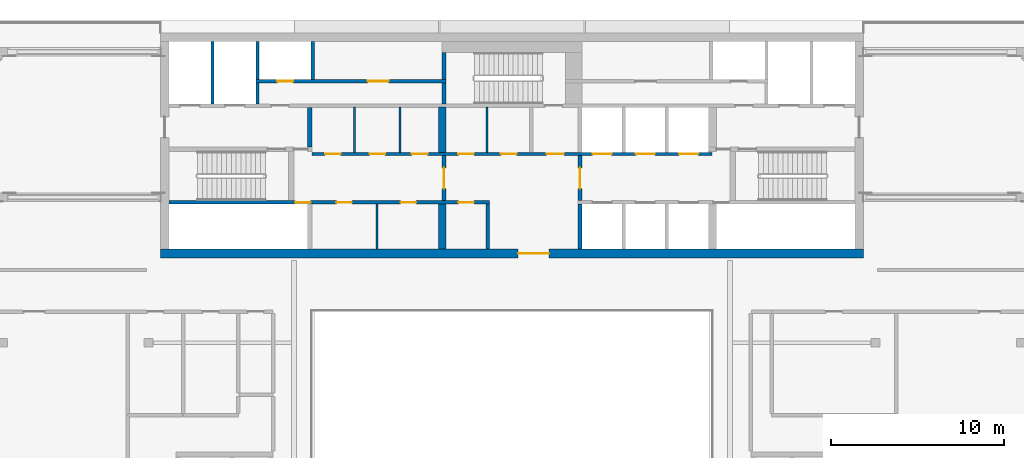
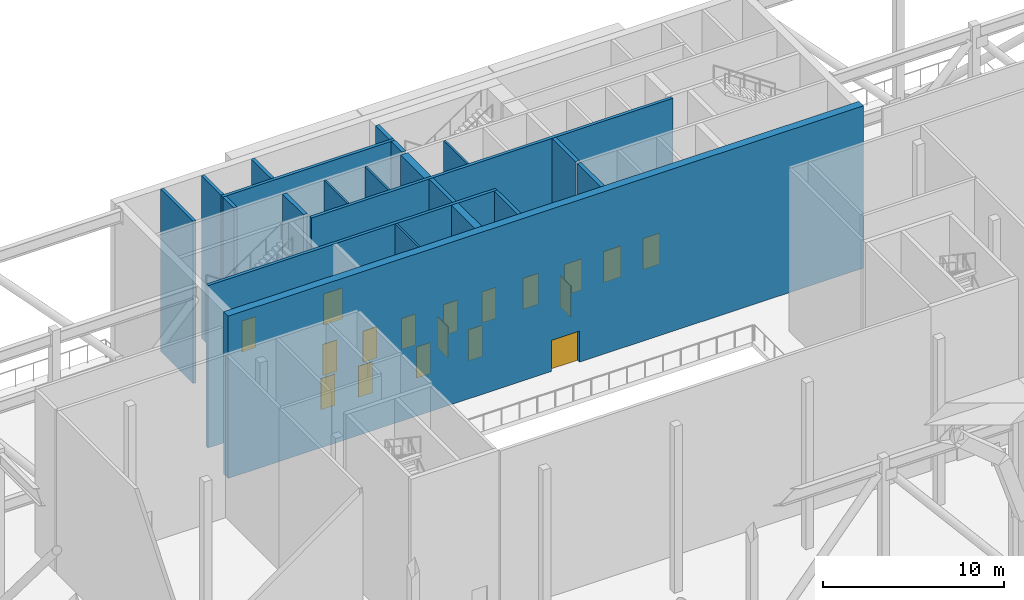
# One storey, part 5 of 20: 21 walls, 18 doors, 18 openings.
"""IFC4 building model written with IfcOpenShell, lengths in metres."""

from ifc_helpers import new_model, si_unit, direction, frame, frame_2d, origin, place, context, subcontext, project, spatial, rectangle, extrude, material, layer, layer_set, type_object, element, fill, save


model = new_model("IFC4")

# Units and contexts
model_context = context("Model", 3, precision=1e-05, world=origin(), true_north=direction((0.0, 1.0)))
body_context = subcontext(model_context, "Body", "Model", "MODEL_VIEW")
ifc_project = project(units=[si_unit("LENGTHUNIT", "METRE"), si_unit("AREAUNIT", "SQUARE_METRE"), si_unit("VOLUMEUNIT", "CUBIC_METRE"), si_unit("PLANEANGLEUNIT", "RADIAN"), si_unit("MASSUNIT", "GRAM", prefix="KILO")], contexts=[model_context])

# Site, building, storey
site_placement = place(None, origin())
site = spatial("IfcSite", under=ifc_project, at=site_placement, CompositionType="ELEMENT")
building_placement = place(site_placement, origin())
building = spatial("IfcBuilding", under=site, at=building_placement, Name="Saffron Gate Tower", CompositionType="ELEMENT")
storey_placement = place(building_placement, frame((0.0, 0.0, 252.300048828125)))
storey = spatial("IfcBuildingStorey", under=building, at=storey_placement, Name="L62", CompositionType="ELEMENT", Elevation=252.300048828125)

# Wall
ifc_material_1 = material(Name="Gypsum board partition on steel studs", Category="steel")
ifc_layer_1 = layer(ifc_material_1, 0.199951171875)
ifc_layer_set_1 = layer_set([ifc_layer_1], Name="CW10 Core partition 200")
wall_type_1 = type_object("IfcWallType", Name="CW10 Core partition 200", PredefinedType="PARTITIONING", material=ifc_layer_set_1)
wall_1_placement = place(storey_placement, frame((86.199951171875, 62.39990234375, 0.0), z_axis=(0.0, 0.0, 1.0), x_axis=(0.0, 1.0, 0.0)))
element("IfcWall", 1, at=wall_1_placement, inside=storey, type_object=wall_type_1, Name="Wall CW10-L62-8", PredefinedType="PARTITIONING", context=body_context, shape_type="SweptSolid", body=[
    extrude(rectangle(XDim=2.60009765625, YDim=0.199951171875, at=frame_2d((1.300048828125, 0.0))), origin(), (0.0, 0.0, 1.0), 10.969970703125),
])

# Wall, opening, door
ifc_material_2 = material(Name="Concrete C50", Category="concrete")
ifc_layer_2 = layer(ifc_material_2, 0.5)
ifc_layer_set_2 = layer_set([ifc_layer_2], Name="CW22 RC core wall 500 C50")
wall_type_2 = type_object("IfcWallType", Name="CW22 RC core wall 500 C50", PredefinedType="SOLIDWALL", material=ifc_layer_set_2)
wall_2_placement = place(storey_placement, frame((67.300048828125, 62.14990234375, 0.0), z_axis=(0.0, 0.0, 1.0), x_axis=(1.0, 0.0, 0.0)))
wall_2 = element("IfcWall", 2, at=wall_2_placement, inside=storey, type_object=wall_type_2, Name="Wall CW22-L62-1", PredefinedType="SOLIDWALL", context=body_context, shape_type="SweptSolid", body=[
    extrude(rectangle(XDim=40.599853515625, YDim=0.5, at=frame_2d((20.2998046875, 0.0))), origin(), (0.0, 0.0, 1.0), 10.969970703125),
])
opening_1_placement = place(wall_2_placement, frame((20.64990234375, 0.0, 0.0)))
opening_1 = element("IfcOpeningElement", 3, at=opening_1_placement, cuts=wall_2, Name="Opening CR-09", PredefinedType="OPENING", context=body_context, shape_type="SweptSolid", body=[
    extrude(rectangle(XDim=1.800048828125, YDim=2.10009765625, at=frame_2d((0.89990234375, 1.050048828125))), frame((0.0, 0.260009765625, 0.0), z_axis=(0.0, -1.0, 0.0), x_axis=(1.0, 0.0, 0.0)), (0.0, 0.0, 1.0), 0.52001953125),
])
ifc_material_3 = material(Name="Steel fire door set", Category="steel")
door_type_1 = type_object("IfcDoorType", Name="CD1 Core entrance door 1800x2100 EI 120", OperationType="NOTDEFINED", PredefinedType="DOOR", material=ifc_material_3)
door_1_placement = place(opening_1_placement, origin())
door_1 = element("IfcDoor", 4, at=door_1_placement, inside=storey, type_object=door_type_1, Name="DOOR CR-09", OperationType="DOUBLE_DOOR_SINGLE_SWING", OverallHeight=2.10009765625, OverallWidth=1.800048828125, PredefinedType="DOOR", context=body_context, shape_type="SweptSolid", body=[
    extrude(rectangle(XDim=1.800048828125, YDim=2.10009765625, at=frame_2d((0.89990234375, 1.050048828125))), frame((0.0, 0.02490234375, 0.0), z_axis=(0.0, -1.0, 0.0), x_axis=(1.0, 0.0, 0.0)), (0.0, 0.0, 1.0), 0.050048828125),
])
fill(opening_1, door_1)

# Wall
ifc_layer_3 = layer(ifc_material_2, 0.25)
ifc_layer_set_3 = layer_set([ifc_layer_3], Name="CW23 RC core wall 250 C50")
wall_type_3 = type_object("IfcWallType", Name="CW23 RC core wall 250 C50", PredefinedType="SOLIDWALL", material=ifc_layer_set_3)
wall_3_placement = place(storey_placement, frame((91.52490234375, 62.39990234375, 0.0), z_axis=(0.0, 0.0, 1.0), x_axis=(0.0, 1.0, 0.0)))
element("IfcWall", 5, at=wall_3_placement, inside=storey, type_object=wall_type_3, Name="Wall CW23-L62-9", PredefinedType="SOLIDWALL", context=body_context, shape_type="SweptSolid", body=[
    extrude(rectangle(XDim=2.60009765625, YDim=0.25, at=frame_2d((1.300048828125, 0.0))), origin(), (0.0, 0.0, 1.0), 10.969970703125),
])

# Wall, opening, door
wall_4_placement = place(storey_placement, frame((83.675048828125, 65.199951171875, 0.0), z_axis=(0.0, 0.0, 1.0), x_axis=(0.0, 1.0, 0.0)))
wall_4 = element("IfcWall", 6, at=wall_4_placement, inside=storey, type_object=wall_type_3, Name="Wall CW23-L62-16", PredefinedType="SOLIDWALL", context=body_context, shape_type="SweptSolid", body=[
    extrude(rectangle(XDim=2.60009765625, YDim=0.25, at=frame_2d((1.300048828125, 0.0))), origin(), (0.0, 0.0, 1.0), 10.969970703125),
])
opening_2_placement = place(wall_4_placement, frame((0.699951171875, 0.0, 0.0)))
opening_2 = element("IfcOpeningElement", 7, at=opening_2_placement, cuts=wall_4, Name="Opening CR-07", PredefinedType="OPENING", context=body_context, shape_type="SweptSolid", body=[
    extrude(rectangle(XDim=1.199951171875, YDim=2.10009765625, at=frame_2d((0.60009765625, 1.050048828125))), frame((0.0, 0.135009765625, 0.0), z_axis=(0.0, -1.0, 0.0), x_axis=(1.0, 0.0, 0.0)), (0.0, 0.0, 1.0), 0.27001953125),
])
door_type_2 = type_object("IfcDoorType", Name="CD3 Lobby door 1200x2100 EI 120", OperationType="NOTDEFINED", PredefinedType="DOOR", material=ifc_material_3)
door_2_placement = place(opening_2_placement, origin())
door_2 = element("IfcDoor", 8, at=door_2_placement, inside=storey, type_object=door_type_2, Name="DOOR CR-07", OperationType="SINGLE_SWING_RIGHT", OverallHeight=2.10009765625, OverallWidth=1.199951171875, PredefinedType="DOOR", context=body_context, shape_type="SweptSolid", body=[
    extrude(rectangle(XDim=1.199951171875, YDim=2.10009765625, at=frame_2d((0.60009765625, 1.050048828125))), frame((0.0, 0.02490234375, 0.0), z_axis=(0.0, -1.0, 0.0), x_axis=(1.0, 0.0, 0.0)), (0.0, 0.0, 1.0), 0.050048828125),
])
fill(opening_2, door_2)

wall_5_placement = place(storey_placement, frame((91.52490234375, 65.199951171875, 0.0), z_axis=(0.0, 0.0, 1.0), x_axis=(0.0, 1.0, 0.0)))
wall_5 = element("IfcWall", 9, at=wall_5_placement, inside=storey, type_object=wall_type_3, Name="Wall CW23-L62-17", PredefinedType="SOLIDWALL", context=body_context, shape_type="SweptSolid", body=[
    extrude(rectangle(XDim=2.60009765625, YDim=0.25, at=frame_2d((1.300048828125, 0.0))), origin(), (0.0, 0.0, 1.0), 10.969970703125),
])
opening_3_placement = place(wall_5_placement, frame((0.699951171875, 0.0, 0.0)))
opening_3 = element("IfcOpeningElement", 10, at=opening_3_placement, cuts=wall_5, Name="Opening CR-01", PredefinedType="OPENING", context=body_context, shape_type="SweptSolid", body=[
    extrude(rectangle(XDim=1.199951171875, YDim=2.10009765625, at=frame_2d((0.60009765625, 1.050048828125))), frame((0.0, 0.135009765625, 0.0), z_axis=(0.0, -1.0, 0.0), x_axis=(1.0, 0.0, 0.0)), (0.0, 0.0, 1.0), 0.27001953125),
])
door_3_placement = place(opening_3_placement, origin())
door_3 = element("IfcDoor", 11, at=door_3_placement, inside=storey, type_object=door_type_2, Name="DOOR CR-01", OperationType="SINGLE_SWING_RIGHT", OverallHeight=2.10009765625, OverallWidth=1.199951171875, PredefinedType="DOOR", context=body_context, shape_type="SweptSolid", body=[
    extrude(rectangle(XDim=1.199951171875, YDim=2.10009765625, at=frame_2d((0.60009765625, 1.050048828125))), frame((0.0, 0.02490234375, 0.0), z_axis=(0.0, -1.0, 0.0), x_axis=(1.0, 0.0, 0.0)), (0.0, 0.0, 1.0), 0.050048828125),
])
fill(opening_3, door_3)

# Walls
wall_6_placement = place(storey_placement, frame((75.925048828125, 68.300048828125, 0.0), z_axis=(0.0, 0.0, 1.0), x_axis=(0.0, 1.0, 0.0)))
element("IfcWall", 12, at=wall_6_placement, inside=storey, type_object=wall_type_3, Name="Wall CW23-L62-31", PredefinedType="SOLIDWALL", context=body_context, shape_type="SweptSolid", body=[
    extrude(rectangle(XDim=2.300048828125, YDim=0.25, at=frame_2d((1.14990234375, 0.0))), origin(), (0.0, 0.0, 1.0), 10.969970703125),
])
wall_7_placement = place(storey_placement, frame((83.675048828125, 70.800048828125, 0.0), z_axis=(0.0, 0.0, 1.0), x_axis=(0.0, 1.0, 0.0)))
element("IfcWall", 13, at=wall_7_placement, inside=storey, type_object=wall_type_3, Name="Wall CW23-L62-36", PredefinedType="SOLIDWALL", context=body_context, shape_type="SweptSolid", body=[
    extrude(rectangle(XDim=1.199951171875, YDim=0.25, at=frame_2d((0.60009765625, 0.0))), origin(), (0.0, 0.0, 1.0), 10.969970703125),
])
wall_8_placement = place(storey_placement, frame((83.675048828125, 72.199951171875, 0.0), z_axis=(0.0, 0.0, 1.0), x_axis=(0.0, 1.0, 0.0)))
element("IfcWall", 14, at=wall_8_placement, inside=storey, type_object=wall_type_3, Name="Wall CW23-L62-44", PredefinedType="SOLIDWALL", context=body_context, shape_type="SweptSolid", body=[
    extrude(rectangle(XDim=1.550048828125, YDim=0.25, at=frame_2d((0.77490234375, 0.0))), origin(), (0.0, 0.0, 1.0), 10.969970703125),
])
ifc_layer_4 = layer(ifc_material_2, 0.449951171875)
ifc_layer_set_4 = layer_set([ifc_layer_4], Name="CW24 RC core wall 450 C50")
wall_type_4 = type_object("IfcWallType", Name="CW24 RC core wall 450 C50", PredefinedType="SOLIDWALL", material=ifc_layer_set_4)
for number, where, z_axis, x_axis, name in (
    (15, (83.574951171875, 62.39990234375, 0.0), (0.0, 0.0, 1.0), (0.0, 1.0, 0.0), "Wall CW24-L62-7"),
    (16, (83.574951171875, 68.0, 0.0), (0.0, 0.0, 1.0), (0.0, 1.0, 0.0), "Wall CW24-L62-22"),
):
    element("IfcWall", number, at=place(storey_placement, frame(where, z_axis=z_axis, x_axis=x_axis)), inside=storey, type_object=wall_type_4, Name=name, PredefinedType="SOLIDWALL", context=body_context, shape_type="SweptSolid", body=[
        extrude(rectangle(XDim=2.60009765625, YDim=0.449951171875, at=frame_2d((1.300048828125, 0.0))), origin(), (0.0, 0.0, 1.0), 10.969970703125),
    ])

# Wall, openings, doors
ifc_layer_5 = layer(ifc_material_2, 0.199951171875)
ifc_layer_set_5 = layer_set([ifc_layer_5], Name="CW25 RC core wall 200 C50")
wall_type_5 = type_object("IfcWallType", Name="CW25 RC core wall 200 C50", PredefinedType="SOLIDWALL", material=ifc_layer_set_5)
wall_9_placement = place(storey_placement, frame((67.800048828125, 65.10009765625, 0.0), z_axis=(0.0, 0.0, 1.0), x_axis=(1.0, 0.0, 0.0)))
wall_9 = element("IfcWall", 17, at=wall_9_placement, inside=storey, type_object=wall_type_5, Name="Wall CW25-L62-13", PredefinedType="SOLIDWALL", context=body_context, shape_type="SweptSolid", body=[
    extrude(rectangle(XDim=18.5, YDim=0.199951171875, at=frame_2d((9.25, 0.0))), origin(), (0.0, 0.0, 1.0), 10.969970703125),
])
opening_4_placement = place(wall_9_placement, frame((7.27001953125, 0.0, 0.0)))
opening_4 = element("IfcOpeningElement", 18, at=opening_4_placement, cuts=wall_9, Name="Opening CR-49", PredefinedType="OPENING", context=body_context, shape_type="SweptSolid", body=[
    extrude(rectangle(XDim=0.89990234375, YDim=2.10009765625, at=frame_2d((0.449951171875, 1.050048828125))), frame((0.0, 0.10986328125, 0.0), z_axis=(0.0, -1.0, 0.0), x_axis=(1.0, 0.0, 0.0)), (0.0, 0.0, 1.0), 0.219970703125),
])
opening_5_placement = place(wall_9_placement, frame((9.64990234375, 0.0, 0.0)))
opening_5 = element("IfcOpeningElement", 19, at=opening_5_placement, cuts=wall_9, Name="Opening CR-64", PredefinedType="OPENING", context=body_context, shape_type="SweptSolid", body=[
    extrude(rectangle(XDim=0.89990234375, YDim=2.10009765625, at=frame_2d((0.449951171875, 1.050048828125))), frame((0.0, 0.10986328125, 0.0), z_axis=(0.0, -1.0, 0.0), x_axis=(1.0, 0.0, 0.0)), (0.0, 0.0, 1.0), 0.219970703125),
])
opening_6_placement = place(wall_9_placement, frame((13.360107421875, 0.0, 0.0)))
opening_6 = element("IfcOpeningElement", 20, at=opening_6_placement, cuts=wall_9, Name="Opening CR-65", PredefinedType="OPENING", context=body_context, shape_type="SweptSolid", body=[
    extrude(rectangle(XDim=0.89990234375, YDim=2.10009765625, at=frame_2d((0.449951171875, 1.050048828125))), frame((0.0, 0.10986328125, 0.0), z_axis=(0.0, -1.0, 0.0), x_axis=(1.0, 0.0, 0.0)), (0.0, 0.0, 1.0), 0.219970703125),
])
opening_7_placement = place(wall_9_placement, frame((16.699951171875, 0.0, 0.0)))
opening_7 = element("IfcOpeningElement", 21, at=opening_7_placement, cuts=wall_9, Name="Opening CR-69", PredefinedType="OPENING", context=body_context, shape_type="SweptSolid", body=[
    extrude(rectangle(XDim=0.89990234375, YDim=2.10009765625, at=frame_2d((0.449951171875, 1.050048828125))), frame((0.0, 0.10986328125, 0.0), z_axis=(0.0, -1.0, 0.0), x_axis=(1.0, 0.0, 0.0)), (0.0, 0.0, 1.0), 0.219970703125),
])
door_type_3 = type_object("IfcDoorType", Name="CD2 Riser door 900x2100 EI 60", OperationType="NOTDEFINED", PredefinedType="DOOR", material=ifc_material_3)
door_4_placement = place(opening_4_placement, origin())
door_4 = element("IfcDoor", 22, at=door_4_placement, inside=storey, type_object=door_type_3, Name="DOOR CR-49", OperationType="SINGLE_SWING_LEFT", OverallHeight=2.10009765625, OverallWidth=0.89990234375, PredefinedType="DOOR", context=body_context, shape_type="SweptSolid", body=[
    extrude(rectangle(XDim=0.89990234375, YDim=2.10009765625, at=frame_2d((0.449951171875, 1.050048828125))), frame((0.0, 0.02490234375, 0.0), z_axis=(0.0, -1.0, 0.0), x_axis=(1.0, 0.0, 0.0)), (0.0, 0.0, 1.0), 0.050048828125),
])
fill(opening_4, door_4)
door_type_4 = type_object("IfcDoorType", Name="CD9 Room door 900x2100 EI 60", OperationType="NOTDEFINED", PredefinedType="DOOR", material=ifc_material_3)
door_5_placement = place(opening_5_placement, origin())
door_5 = element("IfcDoor", 23, at=door_5_placement, inside=storey, type_object=door_type_4, Name="DOOR CR-64", OperationType="SINGLE_SWING_RIGHT", OverallHeight=2.10009765625, OverallWidth=0.89990234375, PredefinedType="DOOR", context=body_context, shape_type="SweptSolid", body=[
    extrude(rectangle(XDim=0.89990234375, YDim=2.10009765625, at=frame_2d((0.449951171875, 1.050048828125))), frame((0.0, 0.02490234375, 0.0), z_axis=(0.0, -1.0, 0.0), x_axis=(1.0, 0.0, 0.0)), (0.0, 0.0, 1.0), 0.050048828125),
])
fill(opening_5, door_5)
door_6_placement = place(opening_6_placement, origin())
door_6 = element("IfcDoor", 24, at=door_6_placement, inside=storey, type_object=door_type_4, Name="DOOR CR-65", OperationType="SINGLE_SWING_RIGHT", OverallHeight=2.10009765625, OverallWidth=0.89990234375, PredefinedType="DOOR", context=body_context, shape_type="SweptSolid", body=[
    extrude(rectangle(XDim=0.89990234375, YDim=2.10009765625, at=frame_2d((0.449951171875, 1.050048828125))), frame((0.0, 0.02490234375, 0.0), z_axis=(0.0, -1.0, 0.0), x_axis=(1.0, 0.0, 0.0)), (0.0, 0.0, 1.0), 0.050048828125),
])
fill(opening_6, door_6)
door_7_placement = place(opening_7_placement, origin())
door_7 = element("IfcDoor", 25, at=door_7_placement, inside=storey, type_object=door_type_4, Name="DOOR CR-69", OperationType="SINGLE_SWING_RIGHT", OverallHeight=2.10009765625, OverallWidth=0.89990234375, PredefinedType="DOOR", context=body_context, shape_type="SweptSolid", body=[
    extrude(rectangle(XDim=0.89990234375, YDim=2.10009765625, at=frame_2d((0.449951171875, 1.050048828125))), frame((0.0, 0.02490234375, 0.0), z_axis=(0.0, -1.0, 0.0), x_axis=(1.0, 0.0, 0.0)), (0.0, 0.0, 1.0), 0.050048828125),
])
fill(opening_7, door_7)

wall_10_placement = place(storey_placement, frame((76.050048828125, 67.89990234375, 0.0), z_axis=(0.0, 0.0, 1.0), x_axis=(1.0, 0.0, 0.0)))
wall_10 = element("IfcWall", 26, at=wall_10_placement, inside=storey, type_object=wall_type_5, Name="Wall CW25-L62-19", PredefinedType="SOLIDWALL", context=body_context, shape_type="SweptSolid", body=[
    extrude(rectangle(XDim=23.099853515625, YDim=0.199951171875, at=frame_2d((11.5498046875, 0.0))), origin(), (0.0, 0.0, 1.0), 10.969970703125),
])
opening_8_placement = place(wall_10_placement, frame((0.75, 0.0, 0.0)))
opening_8 = element("IfcOpeningElement", 27, at=opening_8_placement, cuts=wall_10, Name="Opening CR-61", PredefinedType="OPENING", context=body_context, shape_type="SweptSolid", body=[
    extrude(rectangle(XDim=0.89990234375, YDim=2.10009765625, at=frame_2d((0.449951171875, 1.050048828125))), frame((0.0, 0.10986328125, 0.0), z_axis=(0.0, -1.0, 0.0), x_axis=(1.0, 0.0, 0.0)), (0.0, 0.0, 1.0), 0.219970703125),
])
opening_9_placement = place(wall_10_placement, frame((3.320068359375, 0.0, 0.0)))
opening_9 = element("IfcOpeningElement", 28, at=opening_9_placement, cuts=wall_10, Name="Opening CR-62", PredefinedType="OPENING", context=body_context, shape_type="SweptSolid", body=[
    extrude(rectangle(XDim=0.89990234375, YDim=2.10009765625, at=frame_2d((0.449951171875, 1.050048828125))), frame((0.0, 0.10986328125, 0.0), z_axis=(0.0, -1.0, 0.0), x_axis=(1.0, 0.0, 0.0)), (0.0, 0.0, 1.0), 0.219970703125),
])
opening_10_placement = place(wall_10_placement, frame((5.77001953125, 0.0, 0.0)))
opening_10 = element("IfcOpeningElement", 29, at=opening_10_placement, cuts=wall_10, Name="Opening CR-63", PredefinedType="OPENING", context=body_context, shape_type="SweptSolid", body=[
    extrude(rectangle(XDim=0.89990234375, YDim=2.10009765625, at=frame_2d((0.449951171875, 1.050048828125))), frame((0.0, 0.10986328125, 0.0), z_axis=(0.0, -1.0, 0.0), x_axis=(1.0, 0.0, 0.0)), (0.0, 0.0, 1.0), 0.219970703125),
])
opening_11_placement = place(wall_10_placement, frame((8.449951171875, 0.0, 0.0)))
opening_11 = element("IfcOpeningElement", 30, at=opening_11_placement, cuts=wall_10, Name="Opening CR-67", PredefinedType="OPENING", context=body_context, shape_type="SweptSolid", body=[
    extrude(rectangle(XDim=0.89990234375, YDim=2.10009765625, at=frame_2d((0.449951171875, 1.050048828125))), frame((0.0, 0.10986328125, 0.0), z_axis=(0.0, -1.0, 0.0), x_axis=(1.0, 0.0, 0.0)), (0.0, 0.0, 1.0), 0.219970703125),
])
opening_12_placement = place(wall_10_placement, frame((10.909912109375, 0.0, 0.0)))
opening_12 = element("IfcOpeningElement", 31, at=opening_12_placement, cuts=wall_10, Name="Opening CR-68", PredefinedType="OPENING", context=body_context, shape_type="SweptSolid", body=[
    extrude(rectangle(XDim=0.89990234375, YDim=2.10009765625, at=frame_2d((0.449951171875, 1.050048828125))), frame((0.0, 0.10986328125, 0.0), z_axis=(0.0, -1.0, 0.0), x_axis=(1.0, 0.0, 0.0)), (0.0, 0.0, 1.0), 0.219970703125),
])
opening_13_placement = place(wall_10_placement, frame((13.550048828125, 0.0, 0.0)))
opening_13 = element("IfcOpeningElement", 32, at=opening_13_placement, cuts=wall_10, Name="Opening CR-02", PredefinedType="OPENING", context=body_context, shape_type="SweptSolid", body=[
    extrude(rectangle(XDim=1.0, YDim=2.10009765625, at=frame_2d((0.5, 1.050048828125))), frame((0.0, 0.10986328125, 0.0), z_axis=(0.0, -1.0, 0.0), x_axis=(1.0, 0.0, 0.0)), (0.0, 0.0, 1.0), 0.219970703125),
])
opening_14_placement = place(wall_10_placement, frame((16.199951171875, 0.0, 0.0)))
opening_14 = element("IfcOpeningElement", 33, at=opening_14_placement, cuts=wall_10, Name="Opening LD-HR4", PredefinedType="OPENING", context=body_context, shape_type="SweptSolid", body=[
    extrude(rectangle(XDim=1.10009765625, YDim=2.10009765625, at=frame_2d((0.550048828125, 1.050048828125))), frame((0.0, 0.10986328125, 0.0), z_axis=(0.0, -1.0, 0.0), x_axis=(1.0, 0.0, 0.0)), (0.0, 0.0, 1.0), 0.219970703125),
])
opening_15_placement = place(wall_10_placement, frame((18.699951171875, 0.0, 0.0)))
opening_15 = element("IfcOpeningElement", 34, at=opening_15_placement, cuts=wall_10, Name="Opening LD-HR5", PredefinedType="OPENING", context=body_context, shape_type="SweptSolid", body=[
    extrude(rectangle(XDim=1.10009765625, YDim=2.10009765625, at=frame_2d((0.550048828125, 1.050048828125))), frame((0.0, 0.10986328125, 0.0), z_axis=(0.0, -1.0, 0.0), x_axis=(1.0, 0.0, 0.0)), (0.0, 0.0, 1.0), 0.219970703125),
])
opening_16_placement = place(wall_10_placement, frame((21.199951171875, 0.0, 0.0)))
opening_16 = element("IfcOpeningElement", 35, at=opening_16_placement, cuts=wall_10, Name="Opening LD-HR6", PredefinedType="OPENING", context=body_context, shape_type="SweptSolid", body=[
    extrude(rectangle(XDim=1.10009765625, YDim=2.10009765625, at=frame_2d((0.550048828125, 1.050048828125))), frame((0.0, 0.10986328125, 0.0), z_axis=(0.0, -1.0, 0.0), x_axis=(1.0, 0.0, 0.0)), (0.0, 0.0, 1.0), 0.219970703125),
])
door_type_5 = type_object("IfcDoorType", Name="CD4 Lobby door 1000x2100 EI 120", OperationType="NOTDEFINED", PredefinedType="DOOR", material=ifc_material_3)
door_8_placement = place(opening_13_placement, origin())
door_8 = element("IfcDoor", 36, at=door_8_placement, inside=storey, type_object=door_type_5, Name="DOOR CR-02", OperationType="SINGLE_SWING_LEFT", OverallHeight=2.10009765625, OverallWidth=1.0, PredefinedType="DOOR", context=body_context, shape_type="SweptSolid", body=[
    extrude(rectangle(XDim=1.0, YDim=2.10009765625, at=frame_2d((0.5, 1.050048828125))), frame((0.0, 0.02490234375, 0.0), z_axis=(0.0, -1.0, 0.0), x_axis=(1.0, 0.0, 0.0)), (0.0, 0.0, 1.0), 0.050048828125),
])
fill(opening_13, door_8)
door_9_placement = place(opening_8_placement, origin())
door_9 = element("IfcDoor", 37, at=door_9_placement, inside=storey, type_object=door_type_4, Name="DOOR CR-61", OperationType="SINGLE_SWING_LEFT", OverallHeight=2.10009765625, OverallWidth=0.89990234375, PredefinedType="DOOR", context=body_context, shape_type="SweptSolid", body=[
    extrude(rectangle(XDim=0.89990234375, YDim=2.10009765625, at=frame_2d((0.449951171875, 1.050048828125))), frame((0.0, 0.02490234375, 0.0), z_axis=(0.0, -1.0, 0.0), x_axis=(1.0, 0.0, 0.0)), (0.0, 0.0, 1.0), 0.050048828125),
])
fill(opening_8, door_9)
door_10_placement = place(opening_9_placement, origin())
door_10 = element("IfcDoor", 38, at=door_10_placement, inside=storey, type_object=door_type_4, Name="DOOR CR-62", OperationType="SINGLE_SWING_LEFT", OverallHeight=2.10009765625, OverallWidth=0.89990234375, PredefinedType="DOOR", context=body_context, shape_type="SweptSolid", body=[
    extrude(rectangle(XDim=0.89990234375, YDim=2.10009765625, at=frame_2d((0.449951171875, 1.050048828125))), frame((0.0, 0.02490234375, 0.0), z_axis=(0.0, -1.0, 0.0), x_axis=(1.0, 0.0, 0.0)), (0.0, 0.0, 1.0), 0.050048828125),
])
fill(opening_9, door_10)
door_11_placement = place(opening_10_placement, origin())
door_11 = element("IfcDoor", 39, at=door_11_placement, inside=storey, type_object=door_type_4, Name="DOOR CR-63", OperationType="SINGLE_SWING_LEFT", OverallHeight=2.10009765625, OverallWidth=0.89990234375, PredefinedType="DOOR", context=body_context, shape_type="SweptSolid", body=[
    extrude(rectangle(XDim=0.89990234375, YDim=2.10009765625, at=frame_2d((0.449951171875, 1.050048828125))), frame((0.0, 0.02490234375, 0.0), z_axis=(0.0, -1.0, 0.0), x_axis=(1.0, 0.0, 0.0)), (0.0, 0.0, 1.0), 0.050048828125),
])
fill(opening_10, door_11)
door_12_placement = place(opening_11_placement, origin())
door_12 = element("IfcDoor", 40, at=door_12_placement, inside=storey, type_object=door_type_4, Name="DOOR CR-67", OperationType="SINGLE_SWING_LEFT", OverallHeight=2.10009765625, OverallWidth=0.89990234375, PredefinedType="DOOR", context=body_context, shape_type="SweptSolid", body=[
    extrude(rectangle(XDim=0.89990234375, YDim=2.10009765625, at=frame_2d((0.449951171875, 1.050048828125))), frame((0.0, 0.02490234375, 0.0), z_axis=(0.0, -1.0, 0.0), x_axis=(1.0, 0.0, 0.0)), (0.0, 0.0, 1.0), 0.050048828125),
])
fill(opening_11, door_12)
door_13_placement = place(opening_12_placement, origin())
door_13 = element("IfcDoor", 41, at=door_13_placement, inside=storey, type_object=door_type_4, Name="DOOR CR-68", OperationType="SINGLE_SWING_LEFT", OverallHeight=2.10009765625, OverallWidth=0.89990234375, PredefinedType="DOOR", context=body_context, shape_type="SweptSolid", body=[
    extrude(rectangle(XDim=0.89990234375, YDim=2.10009765625, at=frame_2d((0.449951171875, 1.050048828125))), frame((0.0, 0.02490234375, 0.0), z_axis=(0.0, -1.0, 0.0), x_axis=(1.0, 0.0, 0.0)), (0.0, 0.0, 1.0), 0.050048828125),
])
fill(opening_12, door_13)
ifc_material_4 = material(Name="Stainless steel landing door", Category="steel")
door_type_6 = type_object("IfcDoorType", Name="LD Lift landing door 1100x2100 EI 120", OperationType="SLIDING_TO_LEFT", PredefinedType="DOOR", material=ifc_material_4)
door_14_placement = place(opening_14_placement, origin())
door_14 = element("IfcDoor", 42, at=door_14_placement, inside=storey, type_object=door_type_6, Name="LANDING DOOR LD-HR4", OperationType="SLIDING_TO_RIGHT", OverallHeight=2.10009765625, OverallWidth=1.10009765625, PredefinedType="DOOR", context=body_context, shape_type="SweptSolid", body=[
    extrude(rectangle(XDim=1.10009765625, YDim=2.10009765625, at=frame_2d((0.550048828125, 1.050048828125))), frame((0.0, 0.02490234375, 0.0), z_axis=(0.0, -1.0, 0.0), x_axis=(1.0, 0.0, 0.0)), (0.0, 0.0, 1.0), 0.050048828125),
])
fill(opening_14, door_14)
door_15_placement = place(opening_15_placement, origin())
door_15 = element("IfcDoor", 43, at=door_15_placement, inside=storey, type_object=door_type_6, Name="LANDING DOOR LD-HR5", OperationType="SLIDING_TO_RIGHT", OverallHeight=2.10009765625, OverallWidth=1.10009765625, PredefinedType="DOOR", context=body_context, shape_type="SweptSolid", body=[
    extrude(rectangle(XDim=1.10009765625, YDim=2.10009765625, at=frame_2d((0.550048828125, 1.050048828125))), frame((0.0, 0.02490234375, 0.0), z_axis=(0.0, -1.0, 0.0), x_axis=(1.0, 0.0, 0.0)), (0.0, 0.0, 1.0), 0.050048828125),
])
fill(opening_15, door_15)
door_16_placement = place(opening_16_placement, origin())
door_16 = element("IfcDoor", 44, at=door_16_placement, inside=storey, type_object=door_type_6, Name="LANDING DOOR LD-HR6", OperationType="SLIDING_TO_RIGHT", OverallHeight=2.10009765625, OverallWidth=1.10009765625, PredefinedType="DOOR", context=body_context, shape_type="SweptSolid", body=[
    extrude(rectangle(XDim=1.10009765625, YDim=2.10009765625, at=frame_2d((0.550048828125, 1.050048828125))), frame((0.0, 0.02490234375, 0.0), z_axis=(0.0, -1.0, 0.0), x_axis=(1.0, 0.0, 0.0)), (0.0, 0.0, 1.0), 0.050048828125),
])
fill(opening_16, door_16)

# Walls
wall_11_placement = place(storey_placement, frame((70.300048828125, 70.800048828125, 0.0), z_axis=(0.0, 0.0, 1.0), x_axis=(0.0, 1.0, 0.0)))
element("IfcWall", 45, at=wall_11_placement, inside=storey, type_object=wall_type_5, Name="Wall CW25-L62-34", PredefinedType="SOLIDWALL", context=body_context, shape_type="SweptSolid", body=[
    extrude(rectangle(XDim=3.599853515625, YDim=0.199951171875, at=frame_2d((1.7998046875, 0.0))), origin(), (0.0, 0.0, 1.0), 10.969970703125),
])
wall_12_placement = place(storey_placement, frame((72.89990234375, 70.800048828125, 0.0), z_axis=(0.0, 0.0, 1.0), x_axis=(0.0, 1.0, 0.0)))
element("IfcWall", 46, at=wall_12_placement, inside=storey, type_object=wall_type_5, Name="Wall CW25-L62-35", PredefinedType="SOLIDWALL", context=body_context, shape_type="SweptSolid", body=[
    extrude(rectangle(XDim=1.199951171875, YDim=0.199951171875, at=frame_2d((0.60009765625, 0.0))), origin(), (0.0, 0.0, 1.0), 10.969970703125),
])

# Wall, openings, doors
wall_13_placement = place(storey_placement, frame((72.800048828125, 72.10009765625, 0.0), z_axis=(0.0, 0.0, 1.0), x_axis=(1.0, 0.0, 0.0)))
wall_13 = element("IfcWall", 47, at=wall_13_placement, inside=storey, type_object=wall_type_5, Name="Wall CW25-L62-40", PredefinedType="SOLIDWALL", context=body_context, shape_type="SweptSolid", body=[
    extrude(rectangle(XDim=11.0, YDim=0.199951171875, at=frame_2d((5.5, 0.0))), origin(), (0.0, 0.0, 1.0), 10.969970703125),
])
opening_17_placement = place(wall_13_placement, frame((1.25, 0.0, 0.0)))
opening_17 = element("IfcOpeningElement", 48, at=opening_17_placement, cuts=wall_13, Name="Opening CR-71", PredefinedType="OPENING", context=body_context, shape_type="SweptSolid", body=[
    extrude(rectangle(XDim=0.89990234375, YDim=2.10009765625, at=frame_2d((0.449951171875, 1.050048828125))), frame((0.0, 0.10986328125, 0.0), z_axis=(0.0, -1.0, 0.0), x_axis=(1.0, 0.0, 0.0)), (0.0, 0.0, 1.0), 0.219970703125),
])
opening_18_placement = place(wall_13_placement, frame((6.47509765625, 0.0, 0.0)))
opening_18 = element("IfcOpeningElement", 49, at=opening_18_placement, cuts=wall_13, Name="Opening CR-57", PredefinedType="OPENING", context=body_context, shape_type="SweptSolid", body=[
    extrude(rectangle(XDim=1.199951171875, YDim=2.10009765625, at=frame_2d((0.60009765625, 1.050048828125))), frame((0.0, 0.10986328125, 0.0), z_axis=(0.0, -1.0, 0.0), x_axis=(1.0, 0.0, 0.0)), (0.0, 0.0, 1.0), 0.219970703125),
])
door_type_7 = type_object("IfcDoorType", Name="CD10 Room door 1200x2100 EI 60", OperationType="NOTDEFINED", PredefinedType="DOOR", material=ifc_material_3)
door_17_placement = place(opening_18_placement, origin())
door_17 = element("IfcDoor", 50, at=door_17_placement, inside=storey, type_object=door_type_7, Name="DOOR CR-57", OperationType="SINGLE_SWING_LEFT", OverallHeight=2.10009765625, OverallWidth=1.199951171875, PredefinedType="DOOR", context=body_context, shape_type="SweptSolid", body=[
    extrude(rectangle(XDim=1.199951171875, YDim=2.10009765625, at=frame_2d((0.60009765625, 1.050048828125))), frame((0.0, 0.02490234375, 0.0), z_axis=(0.0, -1.0, 0.0), x_axis=(1.0, 0.0, 0.0)), (0.0, 0.0, 1.0), 0.050048828125),
])
fill(opening_18, door_17)
door_18_placement = place(opening_17_placement, origin())
door_18 = element("IfcDoor", 51, at=door_18_placement, inside=storey, type_object=door_type_3, Name="DOOR CR-71", OperationType="SINGLE_SWING_LEFT", OverallHeight=2.10009765625, OverallWidth=0.89990234375, PredefinedType="DOOR", context=body_context, shape_type="SweptSolid", body=[
    extrude(rectangle(XDim=0.89990234375, YDim=2.10009765625, at=frame_2d((0.449951171875, 1.050048828125))), frame((0.0, 0.02490234375, 0.0), z_axis=(0.0, -1.0, 0.0), x_axis=(1.0, 0.0, 0.0)), (0.0, 0.0, 1.0), 0.050048828125),
])
fill(opening_17, door_18)

# Walls
for number, where, z_axis, x_axis, name in (
    (52, (72.89990234375, 72.199951171875, 0.0), (0.0, 0.0, 1.0), (0.0, 1.0, 0.0), "Wall CW25-L62-42"),
    (53, (76.10009765625, 72.199951171875, 0.0), (0.0, 0.0, 1.0), (0.0, 1.0, 0.0), "Wall CW25-L62-43"),
):
    element("IfcWall", number, at=place(storey_placement, frame(where, z_axis=z_axis, x_axis=x_axis)), inside=storey, type_object=wall_type_5, Name=name, PredefinedType="SOLIDWALL", context=body_context, shape_type="SweptSolid", body=[
        extrude(rectangle(XDim=2.199951171875, YDim=0.199951171875, at=frame_2d((1.10009765625, 0.0))), origin(), (0.0, 0.0, 1.0), 10.969970703125),
    ])
ifc_layer_6 = layer(ifc_material_1, 0.1201171875)
ifc_layer_set_6 = layer_set([ifc_layer_6], Name="CW8 Core partition 120")
wall_type_6 = type_object("IfcWallType", Name="CW8 Core partition 120", PredefinedType="PARTITIONING", material=ifc_layer_set_6)
for number, where, z_axis, x_axis, name in (
    (54, (79.81005859375, 62.39990234375, 0.0), (0.0, 0.0, 1.0), (0.0, 1.0, 0.0), "Wall CW8-L62-6"),
    (55, (78.510009765625, 68.0, 0.0), (0.0, 0.0, 1.0), (0.0, 1.0, 0.0), "Wall CW8-L62-20"),
    (56, (81.1298828125, 68.0, 0.0), (0.0, 0.0, 1.0), (0.0, 1.0, 0.0), "Wall CW8-L62-21"),
    (57, (86.159912109375, 68.0, 0.0), (0.0, 0.0, 1.0), (0.0, 1.0, 0.0), "Wall CW8-L62-23"),
):
    element("IfcWall", number, at=place(storey_placement, frame(where, z_axis=z_axis, x_axis=x_axis)), inside=storey, type_object=wall_type_6, Name=name, PredefinedType="PARTITIONING", context=body_context, shape_type="SweptSolid", body=[
        extrude(rectangle(XDim=2.60009765625, YDim=0.1201171875, at=frame_2d((1.300048828125, 0.0))), origin(), (0.0, 0.0, 1.0), 10.969970703125),
    ])

save(model, "model.ifc")
